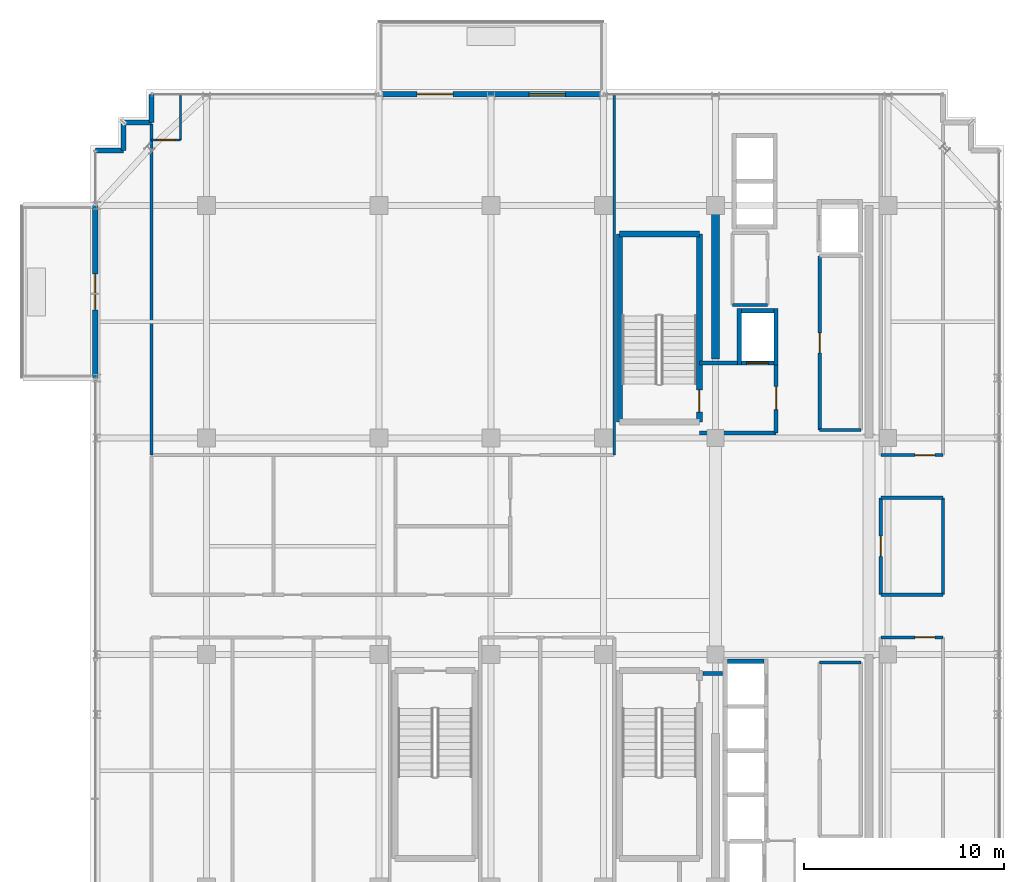
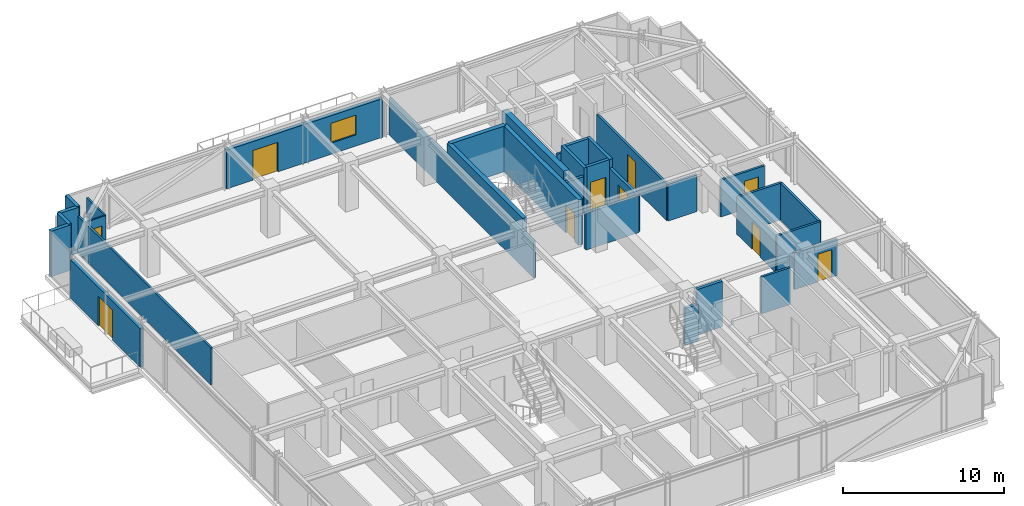
# One storey, part 32 of 36: 33 walls, 10 doors, 1 window, 11 openings.
"""IFC4 building model written with IfcOpenShell, lengths in metres."""

import ifcopenshell
import ifcopenshell.guid

model = None  # the IFC model being written
_history = None  # IfcOwnerHistory: only IFC2X3 demands one
_inside = {}  # id of a spatial element -> (the spatial element, [elements in it])
_under = {}  # id of a project, library or spatial element -> (it, [spatial elements below it])
_declared = {}  # id of a project -> (the project, [libraries it declares])
_typed = {}  # id of a type object -> (the type object, [elements of that type])
_made_of = {}  # id of a material, layer set ... -> (it, [elements and type objects made of it])


def new_model(schema):
    """Start an empty IFC model of exactly this schema.

    Asked for "IFC4X3", IfcOpenShell would pick the latest addendum, in which some entities
    have other attributes; the version numbers below select the first issue.
    IFC2X3 requires an IfcOwnerHistory on every rooted entity: one is made here for all.
    """
    global model, _history
    if schema == "IFC4X3":
        model = ifcopenshell.file(schema_version=(4, 3, 0, 0))
    else:
        model = ifcopenshell.file(schema=schema)
    _inside.clear()
    _under.clear()
    _declared.clear()
    _typed.clear()
    _made_of.clear()
    _history = None
    if model.schema == "IFC2X3":
        org = make("IfcOrganization", Name="unknown")
        user = make(
            "IfcPersonAndOrganization",
            ThePerson=make("IfcPerson", FamilyName="unknown"),
            TheOrganization=org,
        )
        app = make(
            "IfcApplication",
            ApplicationDeveloper=org,
            Version="unknown",
            ApplicationFullName="unknown",
            ApplicationIdentifier="unknown",
        )
        _history = make(
            "IfcOwnerHistory",
            OwningUser=user,
            OwningApplication=app,
            ChangeAction="ADDED",
            CreationDate=0,
        )
    return model


def make(cls, **values):
    """One entity of the class cls with the attributes given. An attribute that is None is left unset."""
    return model.create_entity(
        cls, **{name: value for name, value in values.items() if value is not None}
    )


def rooted(cls, **values):
    """An entity with a GlobalId (a new one), such as an element, a storey or a relation."""
    return make(cls, GlobalId=ifcopenshell.guid.new(), OwnerHistory=_history, **values)


def si_unit(unit_type, name, prefix=None):
    """IfcSIUnit, for example si_unit("LENGTHUNIT", "METRE", prefix="MILLI")."""
    return make("IfcSIUnit", UnitType=unit_type, Prefix=prefix, Name=name)


def assignment(units):
    """IfcUnitAssignment: the units of a project."""
    return None if units is None else make("IfcUnitAssignment", Units=units)


def point(xyz):
    """IfcCartesianPoint."""
    return None if xyz is None else make("IfcCartesianPoint", Coordinates=xyz)


def direction(xyz):
    """IfcDirection."""
    return None if xyz is None else make("IfcDirection", DirectionRatios=xyz)


def frame(location, z_axis=None, x_axis=None):
    """IfcAxis2Placement3D, a coordinate frame: its origin and axes. An axis left out is left unset."""
    return make(
        "IfcAxis2Placement3D",
        Location=point(location),
        Axis=direction(z_axis),
        RefDirection=direction(x_axis),
    )


def frame_2d(location, x_axis=None):
    """IfcAxis2Placement2D, a coordinate frame in the plane: its origin and x axis."""
    return make(
        "IfcAxis2Placement2D", Location=point(location), RefDirection=direction(x_axis)
    )


def origin():
    """The frame at (0, 0, 0) with its axes left unset."""
    return frame((0.0, 0.0, 0.0))


def place(relative_to, where):
    """IfcLocalPlacement: puts the frame where relative to a parent placement (None: the world)."""
    return make(
        "IfcLocalPlacement", PlacementRelTo=relative_to, RelativePlacement=where
    )


def context(
    kind, dimensions, precision=None, world=None, true_north=None, identifier=None
):
    """IfcGeometricRepresentationContext, for example the 3D "Model" context."""
    return make(
        "IfcGeometricRepresentationContext",
        ContextIdentifier=identifier,
        ContextType=kind,
        CoordinateSpaceDimension=dimensions,
        Precision=precision,
        WorldCoordinateSystem=world,
        TrueNorth=true_north,
    )


def subcontext(parent, identifier, kind, view, scale=None):
    """IfcGeometricRepresentationSubContext, for example "Body" below "Model"."""
    return make(
        "IfcGeometricRepresentationSubContext",
        ContextIdentifier=identifier,
        ContextType=kind,
        ParentContext=parent,
        TargetScale=scale,
        TargetView=view,
    )


def project(units=None, contexts=None):
    """IfcProject with its units and contexts."""
    return rooted(
        "IfcProject",
        Name="project",
        RepresentationContexts=contexts,
        UnitsInContext=assignment(units),
    )


def spatial(cls, under=None, at=None, **own):
    """A site, building, storey or space (cls), placed at a placement, below another one or the project."""
    s = rooted(cls, ObjectPlacement=at, **own)
    if under is not None:
        _under.setdefault(under.id(), (under, []))[1].append(s)
    return s


def profile(cls, at=None, kind="AREA", **sizes):
    """A parametric profile (cls). Its sizes go by their IFC names, for example OverallWidth=200.0."""
    return make(cls, ProfileType=kind, Position=at, **sizes)


def rectangle(**sizes):
    """IfcRectangleProfileDef."""
    return profile("IfcRectangleProfileDef", **sizes)


def extrude(swept, where, along, depth):
    """IfcExtrudedAreaSolid: the profile swept, set in the frame where, extruded along a direction by depth."""
    return make(
        "IfcExtrudedAreaSolid",
        SweptArea=swept,
        Position=where,
        ExtrudedDirection=direction(along),
        Depth=depth,
    )


def shape(context_of_items, identifier, shape_type, items):
    """IfcShapeRepresentation: the items that make up one representation, for example the "Body"."""
    return make(
        "IfcShapeRepresentation",
        ContextOfItems=context_of_items,
        RepresentationIdentifier=identifier,
        RepresentationType=shape_type,
        Items=items,
    )


def source(mapping_origin, context_of_items, identifier, shape_type, items):
    """IfcRepresentationMap: a shape defined once, which mapped items show again and again."""
    return make(
        "IfcRepresentationMap",
        MappingOrigin=mapping_origin,
        MappedRepresentation=shape(context_of_items, identifier, shape_type, items),
    )


def transform(
    local_origin,
    x_axis=None,
    y_axis=None,
    z_axis=None,
    scale=None,
    scale2=None,
    scale3=None,
    uniform=True,
):
    """IfcCartesianTransformationOperator3D, or its non-uniform kind. x_axis, y_axis, z_axis: its Axis1, 2, 3."""
    if uniform:
        return make(
            "IfcCartesianTransformationOperator3D",
            Axis1=direction(x_axis),
            Axis2=direction(y_axis),
            LocalOrigin=point(local_origin),
            Scale=scale,
            Axis3=direction(z_axis),
        )
    return make(
        "IfcCartesianTransformationOperator3DnonUniform",
        Axis1=direction(x_axis),
        Axis2=direction(y_axis),
        LocalOrigin=point(local_origin),
        Scale=scale,
        Axis3=direction(z_axis),
        Scale2=scale2,
        Scale3=scale3,
    )


def mapped(mapping_source, mapping_target):
    """IfcMappedItem: shows the shape of a source again, moved by a transform."""
    return make(
        "IfcMappedItem", MappingSource=mapping_source, MappingTarget=mapping_target
    )


def material(Name=None, Category=None):
    """IfcMaterial."""
    return make("IfcMaterial", Name=Name, Category=Category)


def layer(
    of_material, thickness, ventilated=None, Name=None, Category=None, Priority=None
):
    """IfcMaterialLayer: one layer of a wall or slab, of a material (None: an air gap)."""
    return make(
        "IfcMaterialLayer",
        Material=of_material,
        LayerThickness=thickness,
        IsVentilated=ventilated,
        Name=Name,
        Category=Category,
        Priority=Priority,
    )


def layer_set(layers, Name=None):
    """IfcMaterialLayerSet."""
    return make("IfcMaterialLayerSet", MaterialLayers=layers, LayerSetName=Name)


def made_of(thing, what):
    """Note that an element or type object is made of a material, layer set ...; save() writes the relation."""
    if what is not None:
        _made_of.setdefault(what.id(), (what, []))[1].append(thing)
    return thing


def type_object(cls, material=None, **own):
    """A type object (cls), such as IfcWallType, which elements share."""
    return made_of(rooted(cls, **own), material)


def element(
    cls,
    number,
    at=None,
    inside=None,
    cuts=None,
    type_object=None,
    material=None,
    context=None,
    identifier="Body",
    shape_type=None,
    held_by="IfcProductDefinitionShape",
    body=None,
    shapes=None,
    **own,
):
    """One element of the class cls, such as IfcWall. Its Tag is "e" and its number.

    at: its placement. inside: the storey or other place that contains it. cuts: it is an
    opening in that element (IfcRelVoidsElement). A single representation is given by context,
    identifier, shape_type and body (its items); several are given by shapes. held_by: the class
    of the entity that holds the representations. save() writes the other relations.
    """
    e = rooted(cls, Tag="e%d" % number, ObjectPlacement=at, **own)
    if body is not None:
        shapes = [shape(context, identifier, shape_type, body)]
    if shapes is not None:
        e.Representation = make(held_by, Representations=shapes)
    if inside is not None:
        _inside.setdefault(inside.id(), (inside, []))[1].append(e)
    if cuts is not None:
        rooted(
            "IfcRelVoidsElement", RelatingBuildingElement=cuts, RelatedOpeningElement=e
        )
    if type_object is not None:
        _typed.setdefault(type_object.id(), (type_object, []))[1].append(e)
    return made_of(e, material)


def fill(opening, filler):
    """IfcRelFillsElement: the door or window that sits in an opening."""
    return rooted(
        "IfcRelFillsElement",
        RelatingOpeningElement=opening,
        RelatedBuildingElement=filler,
    )


def aggregate(whole, parts):
    """IfcRelAggregates: a whole, such as a stair, and the parts it consists of."""
    return rooted("IfcRelAggregates", RelatingObject=whole, RelatedObjects=parts)


def save(model, path):
    """Write the relations noted so far, then the file.

    IfcRelAggregates (storeys below a building ...), IfcRelContainedInSpatialStructure (elements
    in a storey), IfcRelDefinesByType, IfcRelAssociatesMaterial and IfcRelDeclares: one each for
    every whole, place, type object, material and project.
    """
    for whole, parts in _under.values():
        aggregate(whole, parts)
    for where, things in _inside.values():
        rooted(
            "IfcRelContainedInSpatialStructure",
            RelatedElements=things,
            RelatingStructure=where,
        )
    for kind, things in _typed.values():
        rooted("IfcRelDefinesByType", RelatedObjects=things, RelatingType=kind)
    for what, things in _made_of.values():
        rooted("IfcRelAssociatesMaterial", RelatedObjects=things, RelatingMaterial=what)
    for by, libraries in _declared.values():
        rooted("IfcRelDeclares", RelatingContext=by, RelatedDefinitions=libraries)
    model.write(path)


model = new_model("IFC4")

# Units and contexts
model_context = context("Model", 3, precision=1e-05, world=origin(), true_north=direction((0.0, 1.0)))
body_context = subcontext(model_context, "Body", "Model", "MODEL_VIEW")
ifc_project = project(units=[si_unit("LENGTHUNIT", "METRE"), si_unit("AREAUNIT", "SQUARE_METRE"), si_unit("VOLUMEUNIT", "CUBIC_METRE"), si_unit("PLANEANGLEUNIT", "RADIAN"), si_unit("MASSUNIT", "GRAM", prefix="KILO")], contexts=[model_context])

# Site, building, storey
site_placement = place(None, origin())
site = spatial("IfcSite", under=ifc_project, at=site_placement, CompositionType="ELEMENT")
building_placement = place(site_placement, origin())
building = spatial("IfcBuilding", under=site, at=building_placement, Name="Nahalor Promenade Grand Hotel", CompositionType="ELEMENT")
storey_placement = place(building_placement, frame((0.0, 0.0, 273.800048828125)))
storey = spatial("IfcBuildingStorey", under=building, at=storey_placement, Name="L70", CompositionType="ELEMENT", Elevation=273.800048828125)

# Walls
ifc_material_1 = material(Name="Concrete B-50 (C40/50)", Category="concrete")
ifc_layer_1 = layer(ifc_material_1, 0.39990234375)
ifc_layer_set_1 = layer_set([ifc_layer_1], Name="Concrete B-50 (C40/50)")
wall_type_1 = type_object("IfcWallType", Name="Wall-CoreShear-400", PredefinedType="SHEAR", material=ifc_layer_set_1)
shared_shape_1 = source(origin(), body_context, "Body", "SweptSolid", [
    extrude(rectangle(XDim=7.64990234375, YDim=0.39990234375, at=frame_2d((3.824951171875, 0.0))), origin(), (0.0, 0.0, 1.0), 3.449951171875),
])
wall_1_placement = place(storey_placement, frame((8.39990234375, 9.35009765625, 0.0), z_axis=(0.0, 0.0, 1.0), x_axis=(0.0, 1.0, 0.0)))
element("IfcWall", 1, at=wall_1_placement, inside=storey, type_object=wall_type_1, Name="CWALL-L70-NW", PredefinedType="SHEAR", context=body_context, shape_type="MappedRepresentation", body=[
    mapped(shared_shape_1, transform((0.0, 0.0, 0.0), scale=1.0)),
])
ifc_layer_2 = layer(ifc_material_1, 0.300048828125)
ifc_layer_set_2 = layer_set([ifc_layer_2], Name="Concrete B-50 (C40/50)")
wall_type_2 = type_object("IfcWallType", Name="Wall-ShaftShear-300", PredefinedType="SHEAR", material=ifc_layer_set_2)
shared_shape_2 = source(origin(), body_context, "Body", "SweptSolid", [
    extrude(rectangle(XDim=3.97998046875, YDim=0.300048828125, at=frame_2d((1.989990234375, 0.0))), origin(), (0.0, 0.0, 1.0), 3.449951171875),
])
wall_2_placement = place(storey_placement, frame((3.610107421875, 15.590087890625, 0.0), z_axis=(0.0, 0.0, 1.0), x_axis=(1.0, 0.0, 0.0)))
element("IfcWall", 2, at=wall_2_placement, inside=storey, type_object=wall_type_2, Name="L70 Exit Stair ST1 Shaft Wall N", PredefinedType="SHEAR", context=body_context, shape_type="MappedRepresentation", body=[
    mapped(shared_shape_2, transform((0.0, 0.0, 0.0), scale=1.0)),
])
shared_shape_3 = source(origin(), body_context, "Body", "SweptSolid", [
    extrude(rectangle(XDim=9.380126953125, YDim=0.300048828125, at=frame_2d((4.68994140625, 0.0))), origin(), (0.0, 0.0, 1.0), 3.449951171875),
])
wall_3_placement = place(storey_placement, frame((3.610107421875, 6.2099609375, 0.0), z_axis=(0.0, 0.0, 1.0), x_axis=(0.0, 1.0, 0.0)))
element("IfcWall", 3, at=wall_3_placement, inside=storey, type_object=wall_type_2, Name="L70 Exit Stair ST1 Shaft Wall W", PredefinedType="SHEAR", context=body_context, shape_type="MappedRepresentation", body=[
    mapped(shared_shape_3, transform((0.0, 0.0, 0.0), scale=1.0)),
])

# Wall, opening, door
wall_4_placement = place(storey_placement, frame((7.590087890625, 6.2099609375, 0.0), z_axis=(0.0, 0.0, 1.0), x_axis=(0.0, 1.0, 0.0)))
wall_4 = element("IfcWall", 4, at=wall_4_placement, inside=storey, type_object=wall_type_2, Name="L70 Exit Stair ST1 Shaft Wall E", PredefinedType="SHEAR", context=body_context, shape_type="MappedRepresentation", body=[
    mapped(shared_shape_3, transform((0.0, 0.0, 0.0), scale=1.0)),
])
opening_1_placement = place(wall_4_placement, frame((0.489990234375, 0.0, 0.0)))
opening_1 = element("IfcOpeningElement", 5, at=opening_1_placement, cuts=wall_4, Name="Opening D-ST1", PredefinedType="OPENING", context=body_context, shape_type="SweptSolid", body=[
    extrude(rectangle(XDim=1.10009765625, YDim=2.14990234375, at=frame_2d((0.550048828125, 1.074951171875))), frame((0.0, 0.159912109375, 0.0), z_axis=(0.0, -1.0, 0.0), x_axis=(1.0, 0.0, 0.0)), (0.0, 0.0, 1.0), 0.320068359375),
])
ifc_material_2 = material(Name="Steel S355JR", Category="steel")
door_type_1 = type_object("IfcDoorType", Name="Door-StairFire-1100", OperationType="NOTDEFINED", PredefinedType="DOOR", material=ifc_material_2)
shared_shape_4 = source(origin(), body_context, "Body", "SweptSolid", [
    extrude(rectangle(XDim=1.10009765625, YDim=2.14990234375, at=frame_2d((0.550048828125, 1.074951171875))), frame((0.0, 0.02490234375, 0.0), z_axis=(0.0, -1.0, 0.0), x_axis=(1.0, 0.0, 0.0)), (0.0, 0.0, 1.0), 0.050048828125),
])
door_1_placement = place(opening_1_placement, origin())
door_1 = element("IfcDoor", 6, at=door_1_placement, inside=storey, type_object=door_type_1, Name="DR-STAIR-ST1-L70", OperationType="SINGLE_SWING_LEFT", OverallHeight=2.14990234375, OverallWidth=1.10009765625, PredefinedType="DOOR", context=body_context, shape_type="MappedRepresentation", body=[
    mapped(shared_shape_4, transform((0.0, 0.0, 0.0), scale=1.0)),
])
fill(opening_1, door_1)

# Walls
ifc_layer_3 = layer(ifc_material_1, 0.219970703125)
ifc_layer_set_3 = layer_set([ifc_layer_3], Name="Concrete B-50 (C40/50)")
wall_type_3 = type_object("IfcWallType", Name="Wall-LiftShaft-220", PredefinedType="SHEAR", material=ifc_layer_set_3)
shared_shape_5 = source(origin(), body_context, "Body", "SweptSolid", [
    extrude(rectangle(XDim=1.820068359375, YDim=0.219970703125, at=frame_2d((0.91015625, 0.0))), origin(), (0.0, 0.0, 1.0), 3.449951171875),
])
wall_5_placement = place(storey_placement, frame((8.989990234375, -5.75, 0.0), z_axis=(0.0, 0.0, 1.0), x_axis=(1.0, 0.0, 0.0)))
element("IfcWall", 7, at=wall_5_placement, inside=storey, type_object=wall_type_3, Name="L70 Lift PL9 Hoistway Wall N", PredefinedType="SHEAR", context=body_context, shape_type="MappedRepresentation", body=[
    mapped(shared_shape_5, transform((0.0, 0.0, 0.0), scale=1.0)),
])
shared_shape_6 = source(origin(), body_context, "Body", "SweptSolid", [
    extrude(rectangle(XDim=2.820068359375, YDim=0.219970703125, at=frame_2d((1.41015625, 0.0))), origin(), (0.0, 0.0, 1.0), 3.449951171875),
])
for number, where, z_axis, x_axis, name in (
    (8, (9.580078125, 9.0400390625, 0.0), (0.0, 0.0, 1.0), (0.0, 1.0, 0.0), "L70 Lift FL1 Hoistway Wall W"),
    (9, (11.419921875, 9.0400390625, 0.0), (0.0, 0.0, 1.0), (0.0, 1.0, 0.0), "L70 Lift FL1 Hoistway Wall E"),
):
    element("IfcWall", number, at=place(storey_placement, frame(where, z_axis=z_axis, x_axis=x_axis)), inside=storey, type_object=wall_type_3, Name=name, PredefinedType="SHEAR", context=body_context, shape_type="MappedRepresentation", body=[
        mapped(shared_shape_6, transform((0.0, 0.0, 0.0), scale=1.0)),
    ])

# Wall, opening, door
shared_shape_7 = source(origin(), body_context, "Body", "SweptSolid", [
    extrude(rectangle(XDim=1.6201171875, YDim=0.219970703125, at=frame_2d((0.81005859375, 0.0))), origin(), (0.0, 0.0, 1.0), 3.449951171875),
])
wall_6_placement = place(storey_placement, frame((9.68994140625, 9.14990234375, 0.0), z_axis=(0.0, 0.0, 1.0), x_axis=(1.0, 0.0, 0.0)))
wall_6 = element("IfcWall", 10, at=wall_6_placement, inside=storey, type_object=wall_type_3, Name="L70 Lift FL1 Hoistway Wall S", PredefinedType="SHEAR", context=body_context, shape_type="MappedRepresentation", body=[
    mapped(shared_shape_7, transform((0.0, 0.0, 0.0), scale=1.0)),
])
opening_2_placement = place(wall_6_placement, frame((0.260009765625, 0.0, 0.0)))
opening_2 = element("IfcOpeningElement", 11, at=opening_2_placement, cuts=wall_6, Name="Opening LD-02", PredefinedType="OPENING", context=body_context, shape_type="SweptSolid", body=[
    extrude(rectangle(XDim=1.10009765625, YDim=2.199951171875, at=frame_2d((0.550048828125, 1.10009765625))), frame((0.0, 0.119873046875, 0.0), z_axis=(0.0, -1.0, 0.0), x_axis=(1.0, 0.0, 0.0)), (0.0, 0.0, 1.0), 0.239990234375),
])
door_type_2 = type_object("IfcDoorType", Name="Door-LiftFF-1100", OperationType="DOUBLE_DOOR_SLIDING", PredefinedType="DOOR", material=ifc_material_2)
shared_shape_8 = source(origin(), body_context, "Body", "SweptSolid", [
    extrude(rectangle(XDim=1.10009765625, YDim=2.199951171875, at=frame_2d((0.550048828125, 1.10009765625))), frame((0.0, 0.02490234375, 0.0), z_axis=(0.0, -1.0, 0.0), x_axis=(1.0, 0.0, 0.0)), (0.0, 0.0, 1.0), 0.050048828125),
])
door_2_placement = place(opening_2_placement, frame((1.10009765625, 0.0, 0.0), z_axis=(0.0, 0.0, 1.0), x_axis=(-1.0, 0.0, 0.0)))
door_2 = element("IfcDoor", 12, at=door_2_placement, inside=storey, type_object=door_type_2, Name="DR-LIFT-FL1-L70", OperationType="DOUBLE_DOOR_SLIDING", OverallHeight=2.199951171875, OverallWidth=1.10009765625, PredefinedType="DOOR", context=body_context, shape_type="MappedRepresentation", body=[
    mapped(shared_shape_8, transform((0.0, 0.0, 0.0), scale=1.0)),
])
fill(opening_2, door_2)

# Walls
wall_7_placement = place(storey_placement, frame((9.68994140625, 11.75, 0.0), z_axis=(0.0, 0.0, 1.0), x_axis=(1.0, 0.0, 0.0)))
element("IfcWall", 13, at=wall_7_placement, inside=storey, type_object=wall_type_3, Name="L70 Lift FL1 Hoistway Wall N", PredefinedType="SHEAR", context=body_context, shape_type="MappedRepresentation", body=[
    mapped(shared_shape_7, transform((0.0, 0.0, 0.0), scale=1.0)),
])
ifc_material_3 = material(Name="Concrete B-40 (C32/40)", Category="concrete")
ifc_layer_4 = layer(ifc_material_3, 0.25)
ifc_layer_set_4 = layer_set([ifc_layer_4], Name="Concrete B-40 (C32/40)")
wall_type_4 = type_object("IfcWallType", Name="Wall-BronzePier-250", PredefinedType="STANDARD", material=ifc_layer_set_4)
shared_shape_9 = source(origin(), body_context, "Body", "SweptSolid", [
    extrude(rectangle(XDim=1.400146484375, YDim=0.25, at=frame_2d((0.7001953125, 0.0))), origin(), (0.0, 0.0, 1.0), 3.449951171875),
])
for number, where, z_axis, x_axis, name in (
    (14, (-19.760009765625, 21.159912109375, 0.0), (0.0, 0.0, 1.0), (0.0, 1.0, 0.0), "W-L70-SR-09"),
    (15, (-22.56005859375, 19.760009765625, 0.0), (0.0, 0.0, 1.0), (1.0, 0.0, 0.0), "W-L70-SR-12"),
):
    element("IfcWall", number, at=place(storey_placement, frame(where, z_axis=z_axis, x_axis=x_axis)), inside=storey, type_object=wall_type_4, Name=name, PredefinedType="STANDARD", context=body_context, shape_type="MappedRepresentation", body=[
        mapped(shared_shape_9, transform((0.0, 0.0, 0.0), scale=1.0)),
    ])
shared_shape_10 = source(origin(), body_context, "Body", "SweptSolid", [
    extrude(rectangle(XDim=1.39990234375, YDim=0.25, at=frame_2d((0.699951171875, 0.0))), origin(), (0.0, 0.0, 1.0), 3.449951171875),
])
for number, where, z_axis, x_axis, name in (
    (16, (-21.159912109375, 21.159912109375, 0.0), (0.0, 0.0, 1.0), (1.0, 0.0, 0.0), "W-L70-SR-10"),
    (17, (-21.159912109375, 19.760009765625, 0.0), (0.0, 0.0, 1.0), (0.0, 1.0, 0.0), "W-L70-SR-11"),
):
    element("IfcWall", number, at=place(storey_placement, frame(where, z_axis=z_axis, x_axis=x_axis)), inside=storey, type_object=wall_type_4, Name=name, PredefinedType="STANDARD", context=body_context, shape_type="MappedRepresentation", body=[
        mapped(shared_shape_10, transform((0.0, 0.0, 0.0), scale=1.0)),
    ])

# Wall, opening, door
ifc_layer_5 = layer(ifc_material_3, 0.260009765625)
ifc_layer_set_5 = layer_set([ifc_layer_5], Name="Concrete B-40 (C32/40)")
wall_type_5 = type_object("IfcWallType", Name="Wall-BalconyWall-260", PredefinedType="STANDARD", material=ifc_layer_set_5)
shared_shape_11 = source(origin(), body_context, "Body", "SweptSolid", [
    extrude(rectangle(XDim=8.60009765625, YDim=0.260009765625, at=frame_2d((4.300048828125, 0.0))), origin(), (0.0, 0.0, 1.0), 2.929931640625),
])
wall_8_placement = place(storey_placement, frame((-22.56005859375, 8.39990234375, 0.0), z_axis=(0.0, 0.0, 1.0), x_axis=(0.0, 1.0, 0.0)))
wall_8 = element("IfcWall", 18, at=wall_8_placement, inside=storey, type_object=wall_type_5, Name="W-L70-BALC-W-2", PredefinedType="STANDARD", context=body_context, shape_type="MappedRepresentation", body=[
    mapped(shared_shape_11, transform((0.0, 0.0, 0.0), scale=1.0)),
])
opening_3_placement = place(wall_8_placement, frame((3.39990234375, 0.0, 0.0)))
opening_3 = element("IfcOpeningElement", 19, at=opening_3_placement, cuts=wall_8, Name="Opening D-BC1", PredefinedType="OPENING", context=body_context, shape_type="SweptSolid", body=[
    extrude(rectangle(XDim=1.800048828125, YDim=2.25, at=frame_2d((0.89990234375, 1.125))), frame((0.0, 0.139892578125, 0.0), z_axis=(0.0, -1.0, 0.0), x_axis=(1.0, 0.0, 0.0)), (0.0, 0.0, 1.0), 0.280029296875),
])
ifc_material_4 = material(Name="Anodised Bronze Aluminium EN AW-6063 T6", Category="aluminium")
door_type_3 = type_object("IfcDoorType", Name="Door-BalconySlide-1800", OperationType="DOUBLE_DOOR_SLIDING", PredefinedType="DOOR", material=ifc_material_4)
shared_shape_12 = source(origin(), body_context, "Body", "SweptSolid", [
    extrude(rectangle(XDim=1.800048828125, YDim=2.25, at=frame_2d((0.89990234375, 1.125))), frame((0.0, 0.02490234375, 0.0), z_axis=(0.0, -1.0, 0.0), x_axis=(1.0, 0.0, 0.0)), (0.0, 0.0, 1.0), 0.050048828125),
])
door_3_placement = place(opening_3_placement, origin())
door_3 = element("IfcDoor", 20, at=door_3_placement, inside=storey, type_object=door_type_3, Name="DR-L70-BALC-W-2", OperationType="DOUBLE_DOOR_SLIDING", OverallHeight=2.25, OverallWidth=1.800048828125, PredefinedType="DOOR", context=body_context, shape_type="MappedRepresentation", body=[
    mapped(shared_shape_12, transform((0.0, 0.0, 0.0), scale=1.0)),
])
fill(opening_3, door_3)

# Wall, openings, door, window
shared_shape_13 = source(origin(), body_context, "Body", "SweptSolid", [
    extrude(rectangle(XDim=11.199951171875, YDim=0.260009765625, at=frame_2d((5.60009765625, 0.0))), origin(), (0.0, 0.0, 1.0), 2.929931640625),
])
wall_9_placement = place(storey_placement, frame((-8.39990234375, 22.56005859375, 0.0), z_axis=(0.0, 0.0, 1.0), x_axis=(1.0, 0.0, 0.0)))
wall_9 = element("IfcWall", 21, at=wall_9_placement, inside=storey, type_object=wall_type_5, Name="W-L70-BALC-N-2", PredefinedType="STANDARD", context=body_context, shape_type="MappedRepresentation", body=[
    mapped(shared_shape_13, transform((0.0, 0.0, 0.0), scale=1.0)),
])
opening_4_placement = place(wall_9_placement, frame((1.89990234375, 0.0, 0.0)))
opening_4 = element("IfcOpeningElement", 22, at=opening_4_placement, cuts=wall_9, Name="Opening D-BC1", PredefinedType="OPENING", context=body_context, shape_type="SweptSolid", body=[
    extrude(rectangle(XDim=1.800048828125, YDim=2.25, at=frame_2d((0.89990234375, 1.125))), frame((0.0, 0.139892578125, 0.0), z_axis=(0.0, -1.0, 0.0), x_axis=(1.0, 0.0, 0.0)), (0.0, 0.0, 1.0), 0.280029296875),
])
opening_5_placement = place(wall_9_placement, frame((7.5, 0.0, 0.85009765625)))
opening_5 = element("IfcOpeningElement", 23, at=opening_5_placement, cuts=wall_9, Name="Opening WN-01", PredefinedType="OPENING", context=body_context, shape_type="SweptSolid", body=[
    extrude(rectangle(XDim=1.800048828125, YDim=1.5, at=frame_2d((0.89990234375, 0.75))), frame((0.0, 0.139892578125, 0.0), z_axis=(0.0, -1.0, 0.0), x_axis=(1.0, 0.0, 0.0)), (0.0, 0.0, 1.0), 0.280029296875),
])
door_4_placement = place(opening_4_placement, origin())
door_4 = element("IfcDoor", 24, at=door_4_placement, inside=storey, type_object=door_type_3, Name="DR-L70-BALC-N-2", OperationType="DOUBLE_DOOR_SLIDING", OverallHeight=2.25, OverallWidth=1.800048828125, PredefinedType="DOOR", context=body_context, shape_type="MappedRepresentation", body=[
    mapped(shared_shape_12, transform((0.0, 0.0, 0.0), scale=1.0)),
])
fill(opening_4, door_4)
ifc_material_5 = material(Name="Low-E Laminated Solar Glass", Category="glass")
window_type = type_object("IfcWindowType", Name="Win-ChicagoBay-1800x1500", PartitioningType="SINGLE_PANEL", PredefinedType="WINDOW", material=ifc_material_5)
shared_shape_14 = source(origin(), body_context, "Body", "SweptSolid", [
    extrude(rectangle(XDim=1.800048828125, YDim=1.5, at=frame_2d((0.89990234375, 0.75))), frame((0.0, 0.030029296875, 0.0), z_axis=(0.0, -1.0, 0.0), x_axis=(1.0, 0.0, 0.0)), (0.0, 0.0, 1.0), 0.06005859375),
])
window_placement = place(opening_5_placement, origin())
window = element("IfcWindow", 25, at=window_placement, inside=storey, type_object=window_type, Name="WN-L70-BALC-N-2-1", OverallHeight=1.5, OverallWidth=1.800048828125, PartitioningType="SINGLE_PANEL", PredefinedType="WINDOW", context=body_context, shape_type="MappedRepresentation", body=[
    mapped(shared_shape_14, transform((0.0, 0.0, 0.0), scale=1.0)),
])
fill(opening_5, window)

# Walls
ifc_layer_6 = layer(ifc_material_3, 0.199951171875)
ifc_layer_set_6 = layer_set([ifc_layer_6], Name="Concrete B-40 (C32/40)")
wall_type_6 = type_object("IfcWallType", Name="Wall-PartFire-200", PredefinedType="PARTITIONING", material=ifc_layer_set_6)
shared_shape_15 = source(origin(), body_context, "Body", "SweptSolid", [
    extrude(rectangle(XDim=3.81982421875, YDim=0.199951171875, at=frame_2d((1.909912109375, 0.0))), origin(), (0.0, 0.0, 1.0), 2.7900390625),
])
wall_10_placement = place(storey_placement, frame((7.60009765625, 5.64990234375, 0.0), z_axis=(0.0, 0.0, 1.0), x_axis=(1.0, 0.0, 0.0)))
element("IfcWall", 26, at=wall_10_placement, inside=storey, type_object=wall_type_6, Name="W-L70-FF1-S", PredefinedType="PARTITIONING", context=body_context, shape_type="MappedRepresentation", body=[
    mapped(shared_shape_15, transform((0.0, 0.0, 0.0), scale=1.0)),
])
shared_shape_16 = source(origin(), body_context, "Body", "SweptSolid", [
    extrude(rectangle(XDim=1.89990234375, YDim=0.199951171875, at=frame_2d((0.949951171875, 0.0))), origin(), (0.0, 0.0, 1.0), 2.7900390625),
])
wall_11_placement = place(storey_placement, frame((7.60009765625, 9.14990234375, 0.0), z_axis=(0.0, 0.0, 1.0), x_axis=(1.0, 0.0, 0.0)))
element("IfcWall", 27, at=wall_11_placement, inside=storey, type_object=wall_type_6, Name="W-L70-FF1-N", PredefinedType="PARTITIONING", context=body_context, shape_type="MappedRepresentation", body=[
    mapped(shared_shape_16, transform((0.0, 0.0, 0.0), scale=1.0)),
])

# Wall, opening, door
shared_shape_17 = source(origin(), body_context, "Body", "SweptSolid", [
    extrude(rectangle(XDim=3.5, YDim=0.199951171875, at=frame_2d((1.75, 0.0))), origin(), (0.0, 0.0, 1.0), 2.7900390625),
])
wall_12_placement = place(storey_placement, frame((11.419921875, 5.64990234375, 0.0), z_axis=(0.0, 0.0, 1.0), x_axis=(0.0, 1.0, 0.0)))
wall_12 = element("IfcWall", 28, at=wall_12_placement, inside=storey, type_object=wall_type_6, Name="W-L70-FF1-E", PredefinedType="PARTITIONING", context=body_context, shape_type="MappedRepresentation", body=[
    mapped(shared_shape_17, transform((0.0, 0.0, 0.0), scale=1.0)),
])
opening_6_placement = place(wall_12_placement, frame((1.175048828125, 0.0, 0.0)))
opening_6 = element("IfcOpeningElement", 29, at=opening_6_placement, cuts=wall_12, Name="Opening D-FF1", PredefinedType="OPENING", context=body_context, shape_type="SweptSolid", body=[
    extrude(rectangle(XDim=1.14990234375, YDim=2.14990234375, at=frame_2d((0.574951171875, 1.074951171875))), frame((0.0, 0.10986328125, 0.0), z_axis=(0.0, -1.0, 0.0), x_axis=(1.0, 0.0, 0.0)), (0.0, 0.0, 1.0), 0.219970703125),
])
door_type_4 = type_object("IfcDoorType", Name="Door-FFLobby-1150", OperationType="NOTDEFINED", PredefinedType="DOOR", material=ifc_material_2)
shared_shape_18 = source(origin(), body_context, "Body", "SweptSolid", [
    extrude(rectangle(XDim=1.14990234375, YDim=2.14990234375, at=frame_2d((0.574951171875, 1.074951171875))), frame((0.0, 0.02490234375, 0.0), z_axis=(0.0, -1.0, 0.0), x_axis=(1.0, 0.0, 0.0)), (0.0, 0.0, 1.0), 0.050048828125),
])
door_5_placement = place(opening_6_placement, frame((1.14990234375, 0.0, 0.0), z_axis=(0.0, 0.0, 1.0), x_axis=(-1.0, 0.0, 0.0)))
door_5 = element("IfcDoor", 30, at=door_5_placement, inside=storey, type_object=door_type_4, Name="DR-L70-FFL1", OperationType="SINGLE_SWING_LEFT", OverallHeight=2.14990234375, OverallWidth=1.14990234375, PredefinedType="DOOR", context=body_context, shape_type="MappedRepresentation", body=[
    mapped(shared_shape_18, transform((0.0, 0.0, 0.0), scale=1.0)),
])
fill(opening_6, door_5)

# Walls
shared_shape_19 = source(origin(), body_context, "Body", "SweptSolid", [
    extrude(rectangle(XDim=0.969970703125, YDim=0.199951171875, at=frame_2d((0.48486328125, 0.0))), origin(), (0.0, 0.0, 1.0), 2.7900390625),
])
wall_13_placement = place(storey_placement, frame((7.77001953125, -6.35009765625, 0.0), z_axis=(0.0, 0.0, 1.0), x_axis=(1.0, 0.0, 0.0)))
element("IfcWall", 31, at=wall_13_placement, inside=storey, type_object=wall_type_6, Name="W-L70-FF2-N2", PredefinedType="PARTITIONING", context=body_context, shape_type="MappedRepresentation", body=[
    mapped(shared_shape_19, transform((0.0, 0.0, 0.0), scale=1.0)),
])
ifc_material_6 = material(Name="Acoustic Mineral Gypsum", Category="gypsum")
ifc_layer_7 = layer(ifc_material_6, 0.14990234375)
ifc_layer_set_7 = layer_set([ifc_layer_7], Name="Acoustic Mineral Gypsum")
wall_type_7 = type_object("IfcWallType", Name="Wall-PartService-150", PredefinedType="PARTITIONING", material=ifc_layer_set_7)
shared_shape_20 = source(origin(), body_context, "Body", "SweptSolid", [
    extrude(rectangle(XDim=1.75, YDim=0.14990234375, at=frame_2d((0.875, 0.0))), origin(), (0.0, 0.0, 1.0), 2.7900390625),
])
wall_14_placement = place(storey_placement, frame((9.25, 12.050048828125, 0.0), z_axis=(0.0, 0.0, 1.0), x_axis=(1.0, 0.0, 0.0)))
element("IfcWall", 32, at=wall_14_placement, inside=storey, type_object=wall_type_7, Name="W-L70-CK1A-S", PredefinedType="PARTITIONING", context=body_context, shape_type="MappedRepresentation", body=[
    mapped(shared_shape_20, transform((0.0, 0.0, 0.0), scale=1.0)),
])
ifc_layer_8 = layer(ifc_material_6, 0.159912109375)
ifc_layer_set_8 = layer_set([ifc_layer_8], Name="Acoustic Mineral Gypsum")
wall_type_8 = type_object("IfcWallType", Name="Wall-PartCorridor-160", PredefinedType="PARTITIONING", material=ifc_layer_set_8)
shared_shape_21 = source(origin(), body_context, "Body", "SweptSolid", [
    extrude(rectangle(XDim=2.0498046875, YDim=0.159912109375, at=frame_2d((1.02490234375, 0.0))), origin(), (0.0, 0.0, 1.0), 2.7900390625),
])
for number, where, z_axis, x_axis, name in (
    (33, (13.60009765625, 5.800048828125, 0.0), (0.0, 0.0, 1.0), (1.0, 0.0, 0.0), "W-L70-FRB1-S"),
    (34, (13.60009765625, -5.800048828125, 0.0), (0.0, 0.0, 1.0), (1.0, 0.0, 0.0), "W-L70-FRB2-N"),
):
    element("IfcWall", number, at=place(storey_placement, frame(where, z_axis=z_axis, x_axis=x_axis)), inside=storey, type_object=wall_type_8, Name=name, PredefinedType="PARTITIONING", context=body_context, shape_type="MappedRepresentation", body=[
        mapped(shared_shape_21, transform((0.0, 0.0, 0.0), scale=1.0)),
    ])

# Wall, opening, door
shared_shape_22 = source(origin(), body_context, "Body", "SweptSolid", [
    extrude(rectangle(XDim=3.110107421875, YDim=0.159912109375, at=frame_2d((1.55517578125, 0.0))), origin(), (0.0, 0.0, 1.0), 2.7900390625),
])
wall_15_placement = place(storey_placement, frame((16.64990234375, 4.550048828125, 0.0), z_axis=(0.0, 0.0, 1.0), x_axis=(1.0, 0.0, 0.0)))
wall_15 = element("IfcWall", 35, at=wall_15_placement, inside=storey, type_object=wall_type_8, Name="W-L70-ENE-S", PredefinedType="PARTITIONING", context=body_context, shape_type="MappedRepresentation", body=[
    mapped(shared_shape_22, transform((0.0, 0.0, 0.0), scale=1.0)),
])
opening_7_placement = place(wall_15_placement, frame((1.700927734375, 0.0, 0.0)))
opening_7 = element("IfcOpeningElement", 36, at=opening_7_placement, cuts=wall_15, Name="Opening D-04", PredefinedType="OPENING", context=body_context, shape_type="SweptSolid", body=[
    extrude(rectangle(XDim=1.0, YDim=2.10009765625, at=frame_2d((0.5, 1.050048828125))), frame((0.0, 0.08984375, 0.0), z_axis=(0.0, -1.0, 0.0), x_axis=(1.0, 0.0, 0.0)), (0.0, 0.0, 1.0), 0.179931640625),
])
door_type_5 = type_object("IfcDoorType", Name="Door-ServiceFire-1000", OperationType="NOTDEFINED", PredefinedType="DOOR", material=ifc_material_2)
shared_shape_23 = source(origin(), body_context, "Body", "SweptSolid", [
    extrude(rectangle(XDim=1.0, YDim=2.10009765625, at=frame_2d((0.5, 1.050048828125))), frame((0.0, 0.02490234375, 0.0), z_axis=(0.0, -1.0, 0.0), x_axis=(1.0, 0.0, 0.0)), (0.0, 0.0, 1.0), 0.050048828125),
])
door_6_placement = place(opening_7_placement, origin())
door_6 = element("IfcDoor", 37, at=door_6_placement, inside=storey, type_object=door_type_5, Name="DR-L70-ENE", OperationType="SINGLE_SWING_RIGHT", OverallHeight=2.10009765625, OverallWidth=1.0, PredefinedType="DOOR", context=body_context, shape_type="MappedRepresentation", body=[
    mapped(shared_shape_23, transform((0.0, 0.0, 0.0), scale=1.0)),
])
fill(opening_7, door_6)

wall_16_placement = place(storey_placement, frame((16.64990234375, -4.550048828125, 0.0), z_axis=(0.0, 0.0, 1.0), x_axis=(1.0, 0.0, 0.0)))
wall_16 = element("IfcWall", 38, at=wall_16_placement, inside=storey, type_object=wall_type_8, Name="W-L70-ESE-N", PredefinedType="PARTITIONING", context=body_context, shape_type="MappedRepresentation", body=[
    mapped(shared_shape_22, transform((0.0, 0.0, 0.0), scale=1.0)),
])
opening_8_placement = place(wall_16_placement, frame((1.700927734375, 0.0, 0.0)))
opening_8 = element("IfcOpeningElement", 39, at=opening_8_placement, cuts=wall_16, Name="Opening D-04", PredefinedType="OPENING", context=body_context, shape_type="SweptSolid", body=[
    extrude(rectangle(XDim=1.0, YDim=2.10009765625, at=frame_2d((0.5, 1.050048828125))), frame((0.0, 0.08984375, 0.0), z_axis=(0.0, -1.0, 0.0), x_axis=(1.0, 0.0, 0.0)), (0.0, 0.0, 1.0), 0.179931640625),
])
door_7_placement = place(opening_8_placement, frame((1.0, 0.0, 0.0), z_axis=(0.0, 0.0, 1.0), x_axis=(-1.0, 0.0, 0.0)))
door_7 = element("IfcDoor", 40, at=door_7_placement, inside=storey, type_object=door_type_5, Name="DR-L70-ESE", OperationType="SINGLE_SWING_LEFT", OverallHeight=2.10009765625, OverallWidth=1.0, PredefinedType="DOOR", context=body_context, shape_type="MappedRepresentation", body=[
    mapped(shared_shape_23, transform((0.0, 0.0, 0.0), scale=1.0)),
])
fill(opening_8, door_7)

# Walls
for number, where, z_axis, x_axis, name in (
    (41, (16.64990234375, -2.419921875, 0.0), (0.0, 0.0, 1.0), (1.0, 0.0, 0.0), "W-L70-ECW-S"),
    (42, (16.64990234375, 2.419921875, 0.0), (0.0, 0.0, 1.0), (1.0, 0.0, 0.0), "W-L70-ECW-N"),
):
    element("IfcWall", number, at=place(storey_placement, frame(where, z_axis=z_axis, x_axis=x_axis)), inside=storey, type_object=wall_type_8, Name=name, PredefinedType="PARTITIONING", context=body_context, shape_type="MappedRepresentation", body=[
        mapped(shared_shape_22, transform((0.0, 0.0, 0.0), scale=1.0)),
    ])
ifc_layer_9 = layer(ifc_material_6, 0.139892578125)
ifc_layer_set_9 = layer_set([ifc_layer_9], Name="Acoustic Mineral Gypsum")
wall_type_9 = type_object("IfcWallType", Name="Wall-PartSuite-140", PredefinedType="PARTITIONING", material=ifc_layer_set_9)
shared_shape_24 = source(origin(), body_context, "Body", "SweptSolid", [
    extrude(rectangle(XDim=16.530029296875, YDim=0.139892578125, at=frame_2d((8.26513671875, 0.0))), origin(), (0.0, 0.0, 1.0), 2.7900390625),
])
wall_17_placement = place(storey_placement, frame((-19.760009765625, 4.550048828125, 0.0), z_axis=(0.0, 0.0, 1.0), x_axis=(0.0, 1.0, 0.0)))
element("IfcWall", 43, at=wall_17_placement, inside=storey, type_object=wall_type_9, Name="W-L70-NW-ENDW", PredefinedType="PARTITIONING", context=body_context, shape_type="MappedRepresentation", body=[
    mapped(shared_shape_24, transform((0.0, 0.0, 0.0), scale=1.0)),
])
shared_shape_25 = source(origin(), body_context, "Body", "SweptSolid", [
    extrude(rectangle(XDim=17.949951171875, YDim=0.139892578125, at=frame_2d((8.97509765625, 0.0))), origin(), (0.0, 0.0, 1.0), 2.7900390625),
])
wall_18_placement = place(storey_placement, frame((3.340087890625, 4.550048828125, 0.0), z_axis=(0.0, 0.0, 1.0), x_axis=(0.0, 1.0, 0.0)))
element("IfcWall", 44, at=wall_18_placement, inside=storey, type_object=wall_type_9, Name="W-L70-NW-ENDE", PredefinedType="PARTITIONING", context=body_context, shape_type="MappedRepresentation", body=[
    mapped(shared_shape_25, transform((0.0, 0.0, 0.0), scale=1.0)),
])

# Wall, opening, door
ifc_layer_10 = layer(ifc_material_6, 0.1201171875)
ifc_layer_set_10 = layer_set([ifc_layer_10], Name="Acoustic Mineral Gypsum")
wall_type_10 = type_object("IfcWallType", Name="Wall-PartBath-120", PredefinedType="PARTITIONING", material=ifc_layer_set_10)
shared_shape_26 = source(origin(), body_context, "Body", "SweptSolid", [
    extrude(rectangle(XDim=1.449951171875, YDim=0.1201171875, at=frame_2d((0.72509765625, 0.0))), origin(), (0.0, 0.0, 1.0), 2.7900390625),
])
wall_19_placement = place(storey_placement, frame((-19.760009765625, 20.280029296875, 0.0), z_axis=(0.0, 0.0, 1.0), x_axis=(1.0, 0.0, 0.0)))
wall_19 = element("IfcWall", 45, at=wall_19_placement, inside=storey, type_object=wall_type_10, Name="W-L70-N1-BH", PredefinedType="PARTITIONING", context=body_context, shape_type="MappedRepresentation", body=[
    mapped(shared_shape_26, transform((0.0, 0.0, 0.0), scale=1.0)),
])
opening_9_placement = place(wall_19_placement, frame((0.284912109375, 0.0, 0.0)))
opening_9 = element("IfcOpeningElement", 46, at=opening_9_placement, cuts=wall_19, Name="Opening D-03", PredefinedType="OPENING", context=body_context, shape_type="SweptSolid", body=[
    extrude(rectangle(XDim=0.8798828125, YDim=2.10009765625, at=frame_2d((0.43994140625, 1.050048828125))), frame((0.0, 0.070068359375, 0.0), z_axis=(0.0, -1.0, 0.0), x_axis=(1.0, 0.0, 0.0)), (0.0, 0.0, 1.0), 0.14013671875),
])
ifc_material_7 = material(Name="Fire-Rated Timber Composite", Category="wood")
door_type_6 = type_object("IfcDoorType", Name="Door-BathSwing-880", OperationType="NOTDEFINED", PredefinedType="DOOR", material=ifc_material_7)
shared_shape_27 = source(origin(), body_context, "Body", "SweptSolid", [
    extrude(rectangle(XDim=0.8798828125, YDim=2.10009765625, at=frame_2d((0.43994140625, 1.050048828125))), frame((0.0, 0.02490234375, 0.0), z_axis=(0.0, -1.0, 0.0), x_axis=(1.0, 0.0, 0.0)), (0.0, 0.0, 1.0), 0.050048828125),
])
door_8_placement = place(opening_9_placement, origin())
door_8 = element("IfcDoor", 47, at=door_8_placement, inside=storey, type_object=door_type_6, Name="DR-L70-N1-BATH", OperationType="SINGLE_SWING_RIGHT", OverallHeight=2.10009765625, OverallWidth=0.8798828125, PredefinedType="DOOR", context=body_context, shape_type="MappedRepresentation", body=[
    mapped(shared_shape_27, transform((0.0, 0.0, 0.0), scale=1.0)),
])
fill(opening_9, door_8)

# Wall
shared_shape_28 = source(origin(), body_context, "Body", "SweptSolid", [
    extrude(rectangle(XDim=2.219970703125, YDim=0.1201171875, at=frame_2d((1.10986328125, 0.0))), origin(), (0.0, 0.0, 1.0), 2.7900390625),
])
wall_20_placement = place(storey_placement, frame((-18.31005859375, 20.280029296875, 0.0), z_axis=(0.0, 0.0, 1.0), x_axis=(0.0, 1.0, 0.0)))
element("IfcWall", 48, at=wall_20_placement, inside=storey, type_object=wall_type_10, Name="W-L70-N1-BV", PredefinedType="PARTITIONING", context=body_context, shape_type="MappedRepresentation", body=[
    mapped(shared_shape_28, transform((0.0, 0.0, 0.0), scale=1.0)),
])

# Wall, opening, door
shared_shape_29 = source(origin(), body_context, "Body", "SweptSolid", [
    extrude(rectangle(XDim=4.83984375, YDim=0.159912109375, at=frame_2d((2.419921875, 0.0))), origin(), (0.0, 0.0, 1.0), 2.7900390625),
])
wall_21_placement = place(storey_placement, frame((16.64990234375, -2.419921875, 0.0), z_axis=(0.0, 0.0, 1.0), x_axis=(0.0, 1.0, 0.0)))
wall_21 = element("IfcWall", 49, at=wall_21_placement, inside=storey, type_object=wall_type_8, Name="W-L70-ECW-W", PredefinedType="PARTITIONING", context=body_context, shape_type="MappedRepresentation", body=[
    mapped(shared_shape_29, transform((0.0, 0.0, 0.0), scale=1.0)),
])
opening_10_placement = place(wall_21_placement, frame((1.919921875, 0.0, 0.0)))
opening_10 = element("IfcOpeningElement", 50, at=opening_10_placement, cuts=wall_21, Name="Opening D-04", PredefinedType="OPENING", context=body_context, shape_type="SweptSolid", body=[
    extrude(rectangle(XDim=1.0, YDim=2.10009765625, at=frame_2d((0.5, 1.050048828125))), frame((0.0, 0.08984375, 0.0), z_axis=(0.0, -1.0, 0.0), x_axis=(1.0, 0.0, 0.0)), (0.0, 0.0, 1.0), 0.179931640625),
])
door_9_placement = place(opening_10_placement, frame((1.0, 0.0, 0.0), z_axis=(0.0, 0.0, 1.0), x_axis=(-1.0, 0.0, 0.0)))
door_9 = element("IfcDoor", 51, at=door_9_placement, inside=storey, type_object=door_type_5, Name="DR-L70-ECW", OperationType="SINGLE_SWING_RIGHT", OverallHeight=2.10009765625, OverallWidth=1.0, PredefinedType="DOOR", context=body_context, shape_type="MappedRepresentation", body=[
    mapped(shared_shape_23, transform((0.0, 0.0, 0.0), scale=1.0)),
])
fill(opening_10, door_9)

# Wall
wall_22_placement = place(storey_placement, frame((19.760009765625, -2.419921875, 0.0), z_axis=(0.0, 0.0, 1.0), x_axis=(0.0, 1.0, 0.0)))
element("IfcWall", 52, at=wall_22_placement, inside=storey, type_object=wall_type_8, Name="W-L70-ECW-E", PredefinedType="PARTITIONING", context=body_context, shape_type="MappedRepresentation", body=[
    mapped(shared_shape_29, transform((0.0, 0.0, 0.0), scale=1.0)),
])

# Wall, opening, door
shared_shape_30 = source(origin(), body_context, "Body", "SweptSolid", [
    extrude(rectangle(XDim=8.699951171875, YDim=0.159912109375, at=frame_2d((4.35009765625, 0.0))), origin(), (0.0, 0.0, 1.0), 2.7900390625),
])
wall_23_placement = place(storey_placement, frame((13.60009765625, 5.800048828125, 0.0), z_axis=(0.0, 0.0, 1.0), x_axis=(0.0, 1.0, 0.0)))
wall_23 = element("IfcWall", 53, at=wall_23_placement, inside=storey, type_object=wall_type_8, Name="W-L70-FRB1-W", PredefinedType="PARTITIONING", context=body_context, shape_type="MappedRepresentation", body=[
    mapped(shared_shape_30, transform((0.0, 0.0, 0.0), scale=1.0)),
])
opening_11_placement = place(wall_23_placement, frame((3.85009765625, 0.0, 0.0)))
opening_11 = element("IfcOpeningElement", 54, at=opening_11_placement, cuts=wall_23, Name="Opening D-04", PredefinedType="OPENING", context=body_context, shape_type="SweptSolid", body=[
    extrude(rectangle(XDim=1.0, YDim=2.10009765625, at=frame_2d((0.5, 1.050048828125))), frame((0.0, 0.08984375, 0.0), z_axis=(0.0, -1.0, 0.0), x_axis=(1.0, 0.0, 0.0)), (0.0, 0.0, 1.0), 0.179931640625),
])
door_10_placement = place(opening_11_placement, frame((1.0, 0.0, 0.0), z_axis=(0.0, 0.0, 1.0), x_axis=(-1.0, 0.0, 0.0)))
door_10 = element("IfcDoor", 55, at=door_10_placement, inside=storey, type_object=door_type_5, Name="DR-L70-FRB1", OperationType="SINGLE_SWING_RIGHT", OverallHeight=2.10009765625, OverallWidth=1.0, PredefinedType="DOOR", context=body_context, shape_type="MappedRepresentation", body=[
    mapped(shared_shape_23, transform((0.0, 0.0, 0.0), scale=1.0)),
])
fill(opening_11, door_10)

save(model, "model.ifc")
